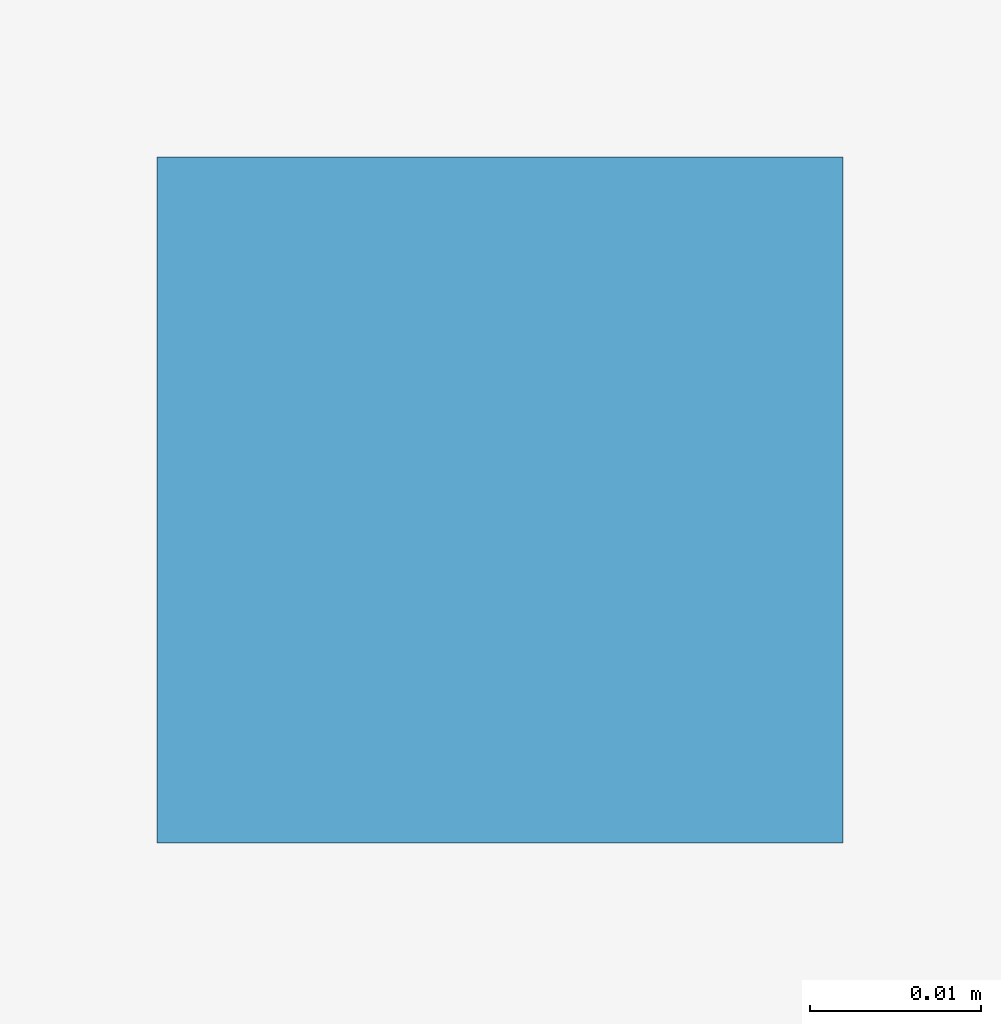
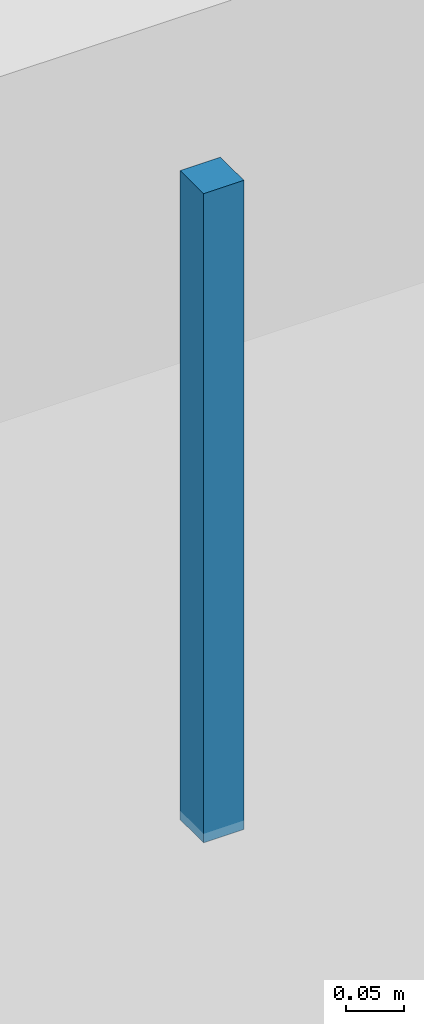
# One storey, part 59 of 88: 1 discrete accessory.
"""IFC4 building model written with IfcOpenShell, lengths in metres."""

from ifc_helpers import new_model, si_unit, direction, frame, origin, origin_2d, place, context, subcontext, project, spatial, rectangle, extrude, material, type_object, element, save


model = new_model("IFC4")

# Units and contexts
model_context = context("Model", 3, precision=1e-05, world=origin(), true_north=direction((0.0, 1.0)))
body_context = subcontext(model_context, "Body", "Model", "MODEL_VIEW")
ifc_project = project(units=[si_unit("LENGTHUNIT", "METRE"), si_unit("AREAUNIT", "SQUARE_METRE"), si_unit("VOLUMEUNIT", "CUBIC_METRE"), si_unit("PLANEANGLEUNIT", "RADIAN"), si_unit("MASSUNIT", "GRAM", prefix="KILO")], contexts=[model_context])

# Site, building, storey
site_placement = place(None, origin())
site = spatial("IfcSite", under=ifc_project, at=site_placement, CompositionType="ELEMENT")
building_placement = place(site_placement, origin())
building = spatial("IfcBuilding", under=site, at=building_placement, Name="Alvorim Cloister Faculty of Sciences", CompositionType="ELEMENT")
storey_placement = place(building_placement, frame((0.0, 0.0, 4.5)))
storey = spatial("IfcBuildingStorey", under=building, at=storey_placement, Name="L01", CompositionType="ELEMENT", Elevation=4.5)

# Discrete accessory
ifc_material = material(Name="Galvanised Painted Steel", Category="steel")
discrete_accessory_type = type_object("IfcDiscreteAccessoryType", Name="ACC-CEIL-ROD", PredefinedType="BRACKET", material=ifc_material)
discrete_accessory_placement = place(storey_placement, frame((46.75, 5.550048828125, 3.1298828125), z_axis=(0.0, 0.0, 1.0), x_axis=(1.0, 0.0, 0.0)))
element("IfcDiscreteAccessory", 1, at=discrete_accessory_placement, inside=storey, type_object=discrete_accessory_type, Name="Ceiling Suspension Bracket ACC-ROD-008", PredefinedType="BRACKET", context=body_context, shape_type="SweptSolid", body=[
    extrude(rectangle(XDim=0.0400390625, YDim=0.0400390625, at=origin_2d()), origin(), (0.0, 0.0, 1.0), 0.68017578125),
])

save(model, "model.ifc")
